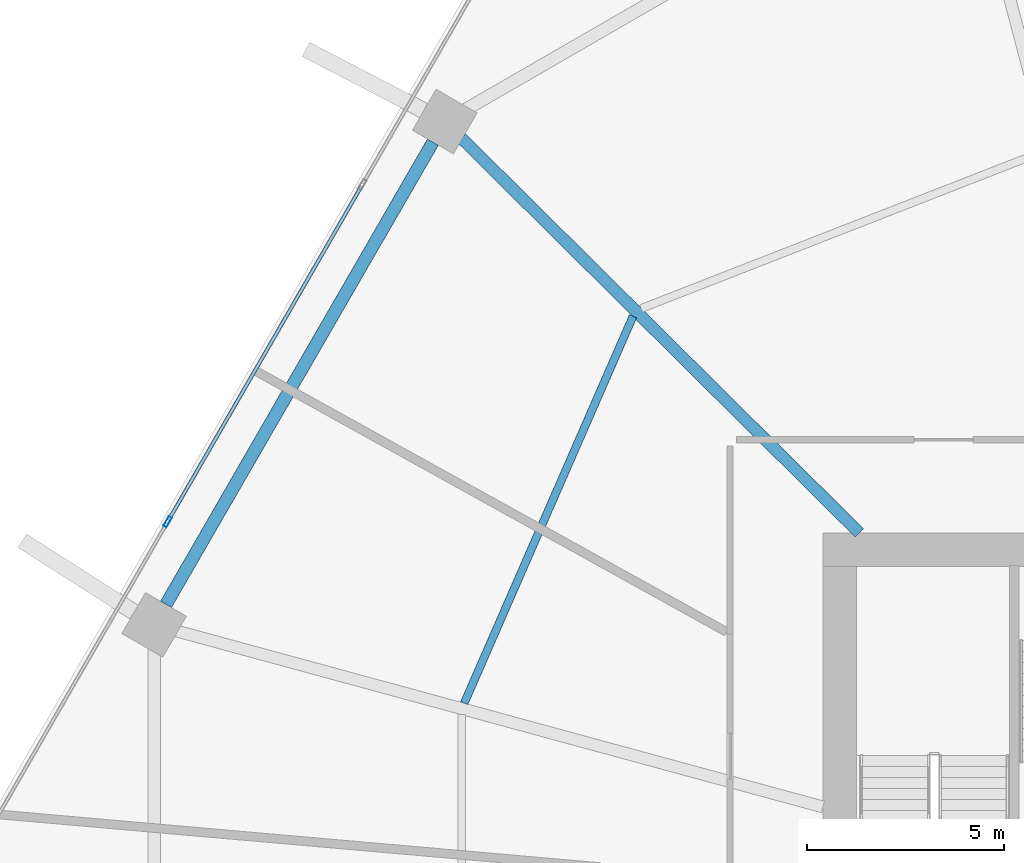
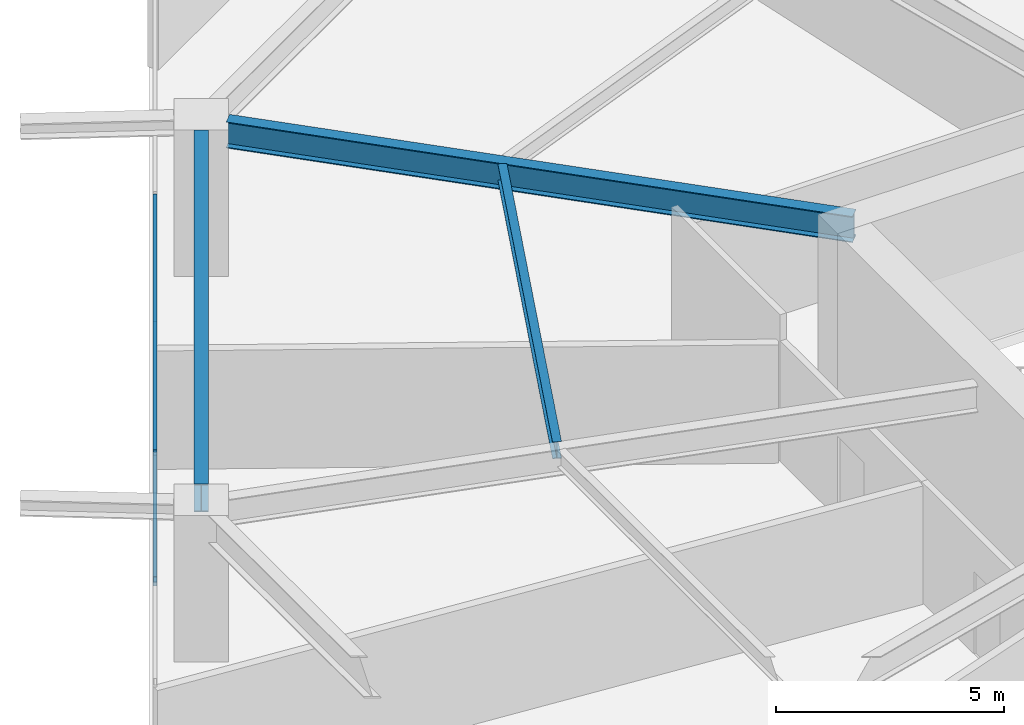
# One storey, part 13 of 25: 3 beams, 3 members, 1 element without a shape of its own.
"""IFC4 building model written with IfcOpenShell, lengths in metres."""

import ifcopenshell
import ifcopenshell.guid

model = None  # the IFC model being written
_history = None  # IfcOwnerHistory: only IFC2X3 demands one
_inside = {}  # id of a spatial element -> (the spatial element, [elements in it])
_under = {}  # id of a project, library or spatial element -> (it, [spatial elements below it])
_declared = {}  # id of a project -> (the project, [libraries it declares])
_typed = {}  # id of a type object -> (the type object, [elements of that type])
_made_of = {}  # id of a material, layer set ... -> (it, [elements and type objects made of it])


def new_model(schema):
    """Start an empty IFC model of exactly this schema.

    Asked for "IFC4X3", IfcOpenShell would pick the latest addendum, in which some entities
    have other attributes; the version numbers below select the first issue.
    IFC2X3 requires an IfcOwnerHistory on every rooted entity: one is made here for all.
    """
    global model, _history
    if schema == "IFC4X3":
        model = ifcopenshell.file(schema_version=(4, 3, 0, 0))
    else:
        model = ifcopenshell.file(schema=schema)
    _inside.clear()
    _under.clear()
    _declared.clear()
    _typed.clear()
    _made_of.clear()
    _history = None
    if model.schema == "IFC2X3":
        org = make("IfcOrganization", Name="unknown")
        user = make(
            "IfcPersonAndOrganization",
            ThePerson=make("IfcPerson", FamilyName="unknown"),
            TheOrganization=org,
        )
        app = make(
            "IfcApplication",
            ApplicationDeveloper=org,
            Version="unknown",
            ApplicationFullName="unknown",
            ApplicationIdentifier="unknown",
        )
        _history = make(
            "IfcOwnerHistory",
            OwningUser=user,
            OwningApplication=app,
            ChangeAction="ADDED",
            CreationDate=0,
        )
    return model


def make(cls, **values):
    """One entity of the class cls with the attributes given. An attribute that is None is left unset."""
    return model.create_entity(
        cls, **{name: value for name, value in values.items() if value is not None}
    )


def rooted(cls, **values):
    """An entity with a GlobalId (a new one), such as an element, a storey or a relation."""
    return make(cls, GlobalId=ifcopenshell.guid.new(), OwnerHistory=_history, **values)


def si_unit(unit_type, name, prefix=None):
    """IfcSIUnit, for example si_unit("LENGTHUNIT", "METRE", prefix="MILLI")."""
    return make("IfcSIUnit", UnitType=unit_type, Prefix=prefix, Name=name)


def assignment(units):
    """IfcUnitAssignment: the units of a project."""
    return None if units is None else make("IfcUnitAssignment", Units=units)


def point(xyz):
    """IfcCartesianPoint."""
    return None if xyz is None else make("IfcCartesianPoint", Coordinates=xyz)


def direction(xyz):
    """IfcDirection."""
    return None if xyz is None else make("IfcDirection", DirectionRatios=xyz)


def frame(location, z_axis=None, x_axis=None):
    """IfcAxis2Placement3D, a coordinate frame: its origin and axes. An axis left out is left unset."""
    return make(
        "IfcAxis2Placement3D",
        Location=point(location),
        Axis=direction(z_axis),
        RefDirection=direction(x_axis),
    )


def frame_2d(location, x_axis=None):
    """IfcAxis2Placement2D, a coordinate frame in the plane: its origin and x axis."""
    return make(
        "IfcAxis2Placement2D", Location=point(location), RefDirection=direction(x_axis)
    )


def origin():
    """The frame at (0, 0, 0) with its axes left unset."""
    return frame((0.0, 0.0, 0.0))


def origin_2d():
    """The frame at (0, 0) in the plane with its x axis left unset."""
    return frame_2d((0.0, 0.0))


def place(relative_to, where):
    """IfcLocalPlacement: puts the frame where relative to a parent placement (None: the world)."""
    return make(
        "IfcLocalPlacement", PlacementRelTo=relative_to, RelativePlacement=where
    )


def context(
    kind, dimensions, precision=None, world=None, true_north=None, identifier=None
):
    """IfcGeometricRepresentationContext, for example the 3D "Model" context."""
    return make(
        "IfcGeometricRepresentationContext",
        ContextIdentifier=identifier,
        ContextType=kind,
        CoordinateSpaceDimension=dimensions,
        Precision=precision,
        WorldCoordinateSystem=world,
        TrueNorth=true_north,
    )


def subcontext(parent, identifier, kind, view, scale=None):
    """IfcGeometricRepresentationSubContext, for example "Body" below "Model"."""
    return make(
        "IfcGeometricRepresentationSubContext",
        ContextIdentifier=identifier,
        ContextType=kind,
        ParentContext=parent,
        TargetScale=scale,
        TargetView=view,
    )


def project(units=None, contexts=None):
    """IfcProject with its units and contexts."""
    return rooted(
        "IfcProject",
        Name="project",
        RepresentationContexts=contexts,
        UnitsInContext=assignment(units),
    )


def spatial(cls, under=None, at=None, **own):
    """A site, building, storey or space (cls), placed at a placement, below another one or the project."""
    s = rooted(cls, ObjectPlacement=at, **own)
    if under is not None:
        _under.setdefault(under.id(), (under, []))[1].append(s)
    return s


def profile(cls, at=None, kind="AREA", **sizes):
    """A parametric profile (cls). Its sizes go by their IFC names, for example OverallWidth=200.0."""
    return make(cls, ProfileType=kind, Position=at, **sizes)


def hollow_rectangle(**sizes):
    """IfcRectangleHollowProfileDef."""
    return profile("IfcRectangleHollowProfileDef", **sizes)


def i_section(**sizes):
    """IfcIShapeProfileDef."""
    return profile("IfcIShapeProfileDef", **sizes)


def extrude(swept, where, along, depth):
    """IfcExtrudedAreaSolid: the profile swept, set in the frame where, extruded along a direction by depth."""
    return make(
        "IfcExtrudedAreaSolid",
        SweptArea=swept,
        Position=where,
        ExtrudedDirection=direction(along),
        Depth=depth,
    )


def shape(context_of_items, identifier, shape_type, items):
    """IfcShapeRepresentation: the items that make up one representation, for example the "Body"."""
    return make(
        "IfcShapeRepresentation",
        ContextOfItems=context_of_items,
        RepresentationIdentifier=identifier,
        RepresentationType=shape_type,
        Items=items,
    )


def material(Name=None, Category=None):
    """IfcMaterial."""
    return make("IfcMaterial", Name=Name, Category=Category)


def material_profile(
    of_material, cross_section, Name=None, Category=None, Priority=None
):
    """IfcMaterialProfile: a cross section and its material."""
    return make(
        "IfcMaterialProfile",
        Name=Name,
        Material=of_material,
        Profile=cross_section,
        Priority=Priority,
        Category=Category,
    )


def profile_set(profiles, Name=None, composite=None):
    """IfcMaterialProfileSet."""
    return make(
        "IfcMaterialProfileSet",
        Name=Name,
        MaterialProfiles=profiles,
        CompositeProfile=composite,
    )


def made_of(thing, what):
    """Note that an element or type object is made of a material, layer set ...; save() writes the relation."""
    if what is not None:
        _made_of.setdefault(what.id(), (what, []))[1].append(thing)
    return thing


def type_object(cls, material=None, **own):
    """A type object (cls), such as IfcWallType, which elements share."""
    return made_of(rooted(cls, **own), material)


def element(
    cls,
    number,
    at=None,
    inside=None,
    cuts=None,
    type_object=None,
    material=None,
    context=None,
    identifier="Body",
    shape_type=None,
    held_by="IfcProductDefinitionShape",
    body=None,
    shapes=None,
    **own,
):
    """One element of the class cls, such as IfcWall. Its Tag is "e" and its number.

    at: its placement. inside: the storey or other place that contains it. cuts: it is an
    opening in that element (IfcRelVoidsElement). A single representation is given by context,
    identifier, shape_type and body (its items); several are given by shapes. held_by: the class
    of the entity that holds the representations. save() writes the other relations.
    """
    e = rooted(cls, Tag="e%d" % number, ObjectPlacement=at, **own)
    if body is not None:
        shapes = [shape(context, identifier, shape_type, body)]
    if shapes is not None:
        e.Representation = make(held_by, Representations=shapes)
    if inside is not None:
        _inside.setdefault(inside.id(), (inside, []))[1].append(e)
    if cuts is not None:
        rooted(
            "IfcRelVoidsElement", RelatingBuildingElement=cuts, RelatedOpeningElement=e
        )
    if type_object is not None:
        _typed.setdefault(type_object.id(), (type_object, []))[1].append(e)
    return made_of(e, material)


def aggregate(whole, parts):
    """IfcRelAggregates: a whole, such as a stair, and the parts it consists of."""
    return rooted("IfcRelAggregates", RelatingObject=whole, RelatedObjects=parts)


def save(model, path):
    """Write the relations noted so far, then the file.

    IfcRelAggregates (storeys below a building ...), IfcRelContainedInSpatialStructure (elements
    in a storey), IfcRelDefinesByType, IfcRelAssociatesMaterial and IfcRelDeclares: one each for
    every whole, place, type object, material and project.
    """
    for whole, parts in _under.values():
        aggregate(whole, parts)
    for where, things in _inside.values():
        rooted(
            "IfcRelContainedInSpatialStructure",
            RelatedElements=things,
            RelatingStructure=where,
        )
    for kind, things in _typed.values():
        rooted("IfcRelDefinesByType", RelatedObjects=things, RelatingType=kind)
    for what, things in _made_of.values():
        rooted("IfcRelAssociatesMaterial", RelatedObjects=things, RelatingMaterial=what)
    for by, libraries in _declared.values():
        rooted("IfcRelDeclares", RelatingContext=by, RelatedDefinitions=libraries)
    model.write(path)


model = new_model("IFC4")

# Units and contexts
model_context = context("Model", 3, precision=1e-05, world=origin(), true_north=direction((0.0, 1.0)))
body_context = subcontext(model_context, "Body", "Model", "MODEL_VIEW")
ifc_project = project(units=[si_unit("LENGTHUNIT", "METRE"), si_unit("AREAUNIT", "SQUARE_METRE"), si_unit("VOLUMEUNIT", "CUBIC_METRE"), si_unit("PLANEANGLEUNIT", "RADIAN"), si_unit("MASSUNIT", "GRAM", prefix="KILO")], contexts=[model_context])

# Site, building, storey
site_placement = place(None, origin())
site = spatial("IfcSite", under=ifc_project, at=site_placement, CompositionType="ELEMENT")
building_placement = place(site_placement, origin())
building = spatial("IfcBuilding", under=site, at=building_placement, Name="Zuhravey Tower", CompositionType="ELEMENT")
storey_placement = place(building_placement, frame((0.0, 0.0, 62.39990234375)))
storey = spatial("IfcBuildingStorey", under=building, at=storey_placement, Name="L15", CompositionType="ELEMENT", Elevation=62.39990234375)

# Curtain wall, members
ifc_material_1 = material(Name="Thermally broken anodised aluminium", Category="aluminium")
curtain_wall_type = type_object("IfcCurtainWallType", Name="School Low-E Unitised Curtain Wall CW1", PredefinedType="NOTDEFINED", material=ifc_material_1)
curtain_wall_placement = place(storey_placement, origin())
curtain_wall = element("IfcCurtainWall", 1, at=curtain_wall_placement, inside=storey, type_object=curtain_wall_type, Name="L15 CW1 CW-L15-F3-1", PredefinedType="NOTDEFINED")
ifc_material_2 = material(Name="Anodised aluminium", Category="aluminium")
ifc_material_profile_1 = material_profile(ifc_material_2, hollow_rectangle(XDim=0.090087890625, YDim=0.284912109375, WallThickness=0.0048828125, at=origin_2d()), Name="ALU-RHS-90x285x5")
ifc_profile_set_1 = profile_set([ifc_material_profile_1], Name="Anodised aluminium")
member_type_1 = type_object("IfcMemberType", Name="Curtain-Wall Mullion 90x180", PredefinedType="MULLION", material=ifc_profile_set_1)
member_1_placement = place(storey_placement, frame((8.45458984375, 42.20703125, 0.0), z_axis=(0.0, 0.0, 1.0), x_axis=(-0.86602552265, 0.499999794119, 0.0)))
member_1 = element("IfcMember", 2, at=member_1_placement, type_object=member_type_1, Name="CW1 mullion 2", PredefinedType="MULLION", context=body_context, shape_type="SweptSolid", body=[
    extrude(hollow_rectangle(XDim=0.090087890625, YDim=0.284912109375, WallThickness=0.0048828125, at=origin_2d()), origin(), (0.0, 0.0, 1.0), 3.4921875),
])
ifc_material_profile_2 = material_profile(ifc_material_2, hollow_rectangle(XDim=0.090087890625, YDim=0.14990234375, WallThickness=0.0048828125, at=origin_2d()), Name="ALU-RHS-90x150x5")
ifc_profile_set_2 = profile_set([ifc_material_profile_2], Name="Anodised aluminium")
member_type_2 = type_object("IfcMemberType", Name="Curtain-Wall Transom 90x150", PredefinedType="USERDEFINED", material=ifc_profile_set_2)
member_2_placement = place(storey_placement, frame((8.47705078125, 42.245849609375, 0.045166015625), z_axis=(0.499990498062, 0.866030889661, 0.0), x_axis=(-0.866030889661, 0.499990498062, 0.0)))
member_2 = element("IfcMember", 3, at=member_2_placement, type_object=member_type_2, Name="CW1 transom 2.1", ObjectType="TRANSOM", PredefinedType="USERDEFINED", context=body_context, shape_type="SweptSolid", body=[
    extrude(hollow_rectangle(XDim=0.090087890625, YDim=0.14990234375, WallThickness=0.0048828125, at=origin_2d()), origin(), (0.0, 0.0, 1.0), 9.776611328125),
])
member_3_placement = place(storey_placement, frame((8.47705078125, 42.245849609375, 3.447021484375), z_axis=(0.499990498062, 0.866030889661, 0.0), x_axis=(-0.866030889661, 0.499990498062, 0.0)))
member_3 = element("IfcMember", 4, at=member_3_placement, type_object=member_type_2, Name="CW1 transom 2.2", ObjectType="TRANSOM", PredefinedType="USERDEFINED", context=body_context, shape_type="SweptSolid", body=[
    extrude(hollow_rectangle(XDim=0.090087890625, YDim=0.14990234375, WallThickness=0.0048828125, at=origin_2d()), origin(), (0.0, 0.0, 1.0), 9.776611328125),
])
aggregate(curtain_wall, [member_1, member_2, member_3])

# Beams
ifc_material_3 = material(Name="Steel SM355", Category="steel")
ifc_material_profile_3 = material_profile(ifc_material_3, i_section(OverallWidth=0.320068359375, OverallDepth=0.75, WebThickness=0.013916015625, FlangeThickness=0.02490234375, at=origin_2d()), Name="H-750x320x14x25")
ifc_profile_set_3 = profile_set([ifc_material_profile_3], Name="Steel SM355")
beam_type_1 = type_object("IfcBeamType", Name="Perimeter Ring Beam H750x320", PredefinedType="BEAM", material=ifc_profile_set_3)
beam_1_placement = place(storey_placement, frame((15.179443359375, 51.834716796875, 3.545166015625), z_axis=(-0.499999877243, -0.866025474658, 0.0), x_axis=(0.866025474658, -0.499999877243, 0.0)))
element("IfcBeam", 5, at=beam_1_placement, inside=storey, type_object=beam_type_1, Name="L15 PB1 BM-L15-PB-05", PredefinedType="BEAM", context=body_context, shape_type="SweptSolid", body=[
    extrude(i_section(OverallWidth=0.320068359375, OverallDepth=0.75, WebThickness=0.013916015625, FlangeThickness=0.02490234375, at=origin_2d()), origin(), (0.0, 0.0, 1.0), 13.5341796875),
])
ifc_material_profile_4 = material_profile(ifc_material_3, i_section(OverallWidth=0.300048828125, OverallDepth=0.699951171875, WebThickness=0.012939453125, FlangeThickness=0.02392578125, at=origin_2d()), Name="H-700x300x13x24")
ifc_profile_set_4 = profile_set([ifc_material_profile_4], Name="Steel SM355")
beam_type_2 = type_object("IfcBeamType", Name="Radial Primary Girder H700x300", PredefinedType="BEAM", material=ifc_profile_set_4)
beam_2_placement = place(storey_placement, frame((25.992919921875, 41.927978515625, 3.570068359375), z_axis=(-0.709902823282, 0.704299639, 0.0), x_axis=(-0.704299639, -0.709902823282, 0.0)))
element("IfcBeam", 6, at=beam_2_placement, inside=storey, type_object=beam_type_2, Name="L15 RG1 BM-L15-RAD-05", PredefinedType="BEAM", context=body_context, shape_type="SweptSolid", body=[
    extrude(i_section(OverallWidth=0.300048828125, OverallDepth=0.699951171875, WebThickness=0.012939453125, FlangeThickness=0.02392578125, at=origin_2d()), origin(), (0.0, 0.0, 1.0), 14.204345703125),
])
ifc_material_profile_5 = material_profile(ifc_material_3, i_section(OverallWidth=0.199951171875, OverallDepth=0.449951171875, WebThickness=0.009033203125, FlangeThickness=0.013916015625, at=origin_2d()), Name="H-450x200x9x14")
ifc_profile_set_5 = profile_set([ifc_material_profile_5], Name="Steel SM355")
beam_type_3 = type_object("IfcBeamType", Name="Secondary Floor Joist H450x200", PredefinedType="JOIST", material=ifc_profile_set_5)
beam_3_placement = place(storey_placement, frame((20.2548828125, 47.41845703125, 3.695068359375), z_axis=(-0.399923551578, -0.916548500022, 0.0), x_axis=(0.916548500022, -0.399923551578, 0.0)))
element("IfcBeam", 7, at=beam_3_placement, inside=storey, type_object=beam_type_3, Name="L15 SJ1 BM-L15-SJ-05-1", PredefinedType="JOIST", context=body_context, shape_type="SweptSolid", body=[
    extrude(i_section(OverallWidth=0.199951171875, OverallDepth=0.449951171875, WebThickness=0.009033203125, FlangeThickness=0.013916015625, at=origin_2d()), origin(), (0.0, 0.0, 1.0), 10.70263671875),
])

save(model, "model.ifc")
